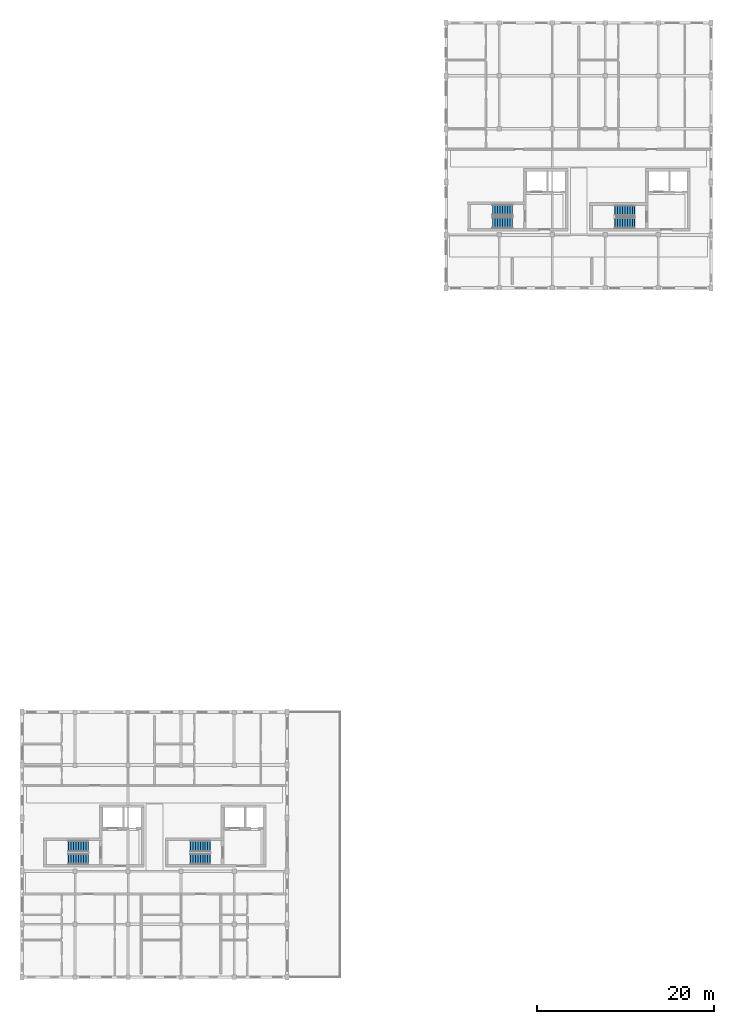
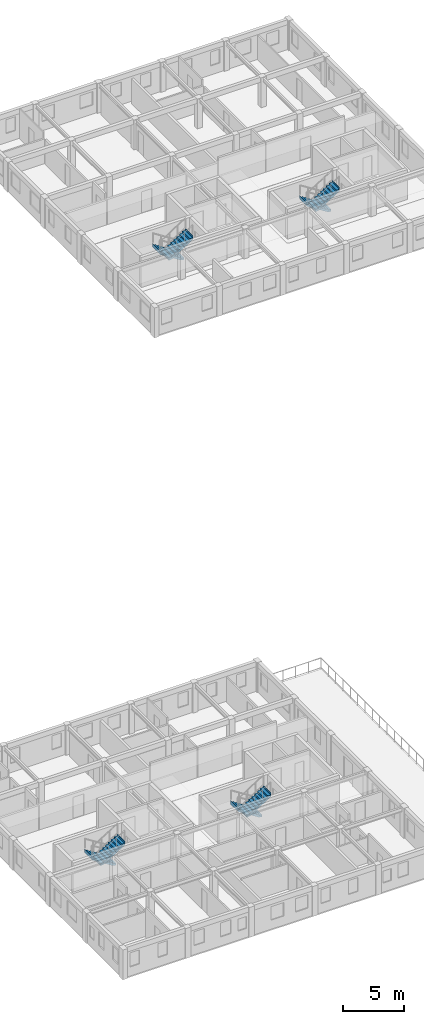
# One storey, part 11 of 13: 8 stair flights, 4 elements without a shape of their own.
"""IFC4 building model written with IfcOpenShell, lengths in metres."""

from ifc_helpers import new_model, si_unit, direction, frame, origin, place, context, subcontext, project, spatial, polyline, outline, extrude, material, type_object, element, aggregate, save


model = new_model("IFC4")

# Units and contexts
model_context = context("Model", 3, precision=1e-05, world=origin(), true_north=direction((0.0, 1.0)))
body_context = subcontext(model_context, "Body", "Model", "MODEL_VIEW")
ifc_project = project(units=[si_unit("LENGTHUNIT", "METRE"), si_unit("AREAUNIT", "SQUARE_METRE"), si_unit("VOLUMEUNIT", "CUBIC_METRE"), si_unit("PLANEANGLEUNIT", "RADIAN"), si_unit("MASSUNIT", "GRAM", prefix="KILO"), si_unit("POWERUNIT", "WATT"), si_unit("THERMODYNAMICTEMPERATUREUNIT", "KELVIN")], contexts=[model_context])

# Site, building, storey
site_placement = place(None, origin())
site = spatial("IfcSite", under=ifc_project, at=site_placement, CompositionType="ELEMENT")
building_placement = place(site_placement, origin())
building = spatial("IfcBuilding", under=site, at=building_placement, Name="Ruvembo Vaulted Housing Court", CompositionType="ELEMENT")
storey_placement = place(building_placement, frame((0.0, 0.0, 33.300048828125)))
storey = spatial("IfcBuildingStorey", under=building, at=storey_placement, Name="L10", CompositionType="ELEMENT", Elevation=33.300048828125)

# Stair, stair flights
ifc_material = material(Name="Concrete C35/45", Category="concrete")
stair_type_1 = type_object("IfcStairType", Name="STR-CORE-1200", PredefinedType="HALF_TURN_STAIR", material=ifc_material)
stair_1_placement = place(storey_placement, origin())
stair_1 = element("IfcStair", 1, at=stair_1_placement, inside=storey, type_object=stair_type_1, Name="L10 Protected Exit Stair ST-B2", PredefinedType="HALF_TURN_STAIR")
stair_flight_type_1 = type_object("IfcStairFlightType", Name="SFL-1200", PredefinedType="STRAIGHT", material=ifc_material)
stair_flight_1_placement = place(storey_placement, frame((69.35009765625, 92.75, 0.0), z_axis=(0.0, 0.0, 1.0), x_axis=(-1.0, 0.0, 0.0)))
stair_flight_1 = element("IfcStairFlight", 2, at=stair_flight_1_placement, type_object=stair_flight_type_1, Name="ST-B2 flight 1", NumberOfRisers=9, NumberOfTreads=8, PredefinedType="STRAIGHT", RiserHeight=0.177777778, TreadLength=0.28, context=body_context, shape_type="SweptSolid", body=[
    extrude(outline(polyline([(-0.02490234375, -0.0400390625), (-0.02490234375, 0.0), (0.0, 0.0), (0.0, 0.177734375), (0.280029296875, 0.177734375), (0.280029296875, 0.35546875), (0.56005859375, 0.35546875), (0.56005859375, 0.533447265625), (0.840087890625, 0.533447265625), (0.840087890625, 0.711181640625), (1.1201171875, 0.711181640625), (1.1201171875, 0.888916015625), (1.39990234375, 0.888916015625), (1.39990234375, 1.066650390625), (1.679931640625, 1.066650390625), (1.679931640625, 1.244384765625), (1.9599609375, 1.244384765625), (1.9599609375, 1.422119140625), (2.239990234375, 1.422119140625), (2.239990234375, 1.60009765625), (2.264892578125, 1.60009765625), (2.264892578125, 1.4501953125), (2.239990234375, 1.24462890625), (0.27978515625, 0.0), (0.0, -0.0400390625), (-0.02490234375, -0.0400390625)])), frame((0.0, 0.60009765625, 0.0), z_axis=(0.0, -1.0, 0.0), x_axis=(1.0, 0.0, 0.0)), (0.0, 0.0, 1.0), 1.199951171875),
])
stair_flight_2_placement = place(storey_placement, frame((67.110107421875, 91.35009765625, 1.599853515625), z_axis=(0.0, 0.0, 1.0), x_axis=(1.0, 0.0, 0.0)))
stair_flight_2 = element("IfcStairFlight", 3, at=stair_flight_2_placement, type_object=stair_flight_type_1, Name="ST-B2 flight 2", NumberOfRisers=9, NumberOfTreads=8, PredefinedType="STRAIGHT", RiserHeight=0.177777778, TreadLength=0.28, context=body_context, shape_type="SweptSolid", body=[
    extrude(outline(polyline([(-0.02490234375, -0.0400390625), (-0.02490234375, 0.0), (0.0, 0.0), (0.0, 0.177734375), (0.280029296875, 0.177734375), (0.280029296875, 0.35546875), (0.56005859375, 0.35546875), (0.56005859375, 0.533447265625), (0.840087890625, 0.533447265625), (0.840087890625, 0.711181640625), (1.1201171875, 0.711181640625), (1.1201171875, 0.888916015625), (1.39990234375, 0.888916015625), (1.39990234375, 1.066650390625), (1.679931640625, 1.066650390625), (1.679931640625, 1.244384765625), (1.9599609375, 1.244384765625), (1.9599609375, 1.422119140625), (2.239990234375, 1.422119140625), (2.239990234375, 1.60009765625), (2.264892578125, 1.60009765625), (2.264892578125, 1.4501953125), (2.239990234375, 1.24462890625), (0.27978515625, 0.0), (0.0, -0.0400390625), (-0.02490234375, -0.0400390625)])), frame((0.0, 0.60009765625, 0.0), z_axis=(0.0, -1.0, 0.0), x_axis=(1.0, 0.0, 0.0)), (0.0, 0.0, 1.0), 1.199951171875),
])
aggregate(stair_1, [stair_flight_1, stair_flight_2])

stair_type_2 = type_object("IfcStairType", Name="STR-CORE-1250", PredefinedType="HALF_TURN_STAIR", material=ifc_material)
stair_2_placement = place(storey_placement, origin())
stair_2 = element("IfcStair", 4, at=stair_2_placement, inside=storey, type_object=stair_type_2, Name="L10 Protected Exit Stair ST-A1", PredefinedType="HALF_TURN_STAIR")
stair_flight_type_2 = type_object("IfcStairFlightType", Name="SFL-1250", PredefinedType="STRAIGHT", material=ifc_material)
stair_flight_3_placement = place(storey_placement, frame((7.5, 20.824951171875, 0.0), z_axis=(0.0, 0.0, 1.0), x_axis=(-1.0, 0.0, 0.0)))
stair_flight_3 = element("IfcStairFlight", 5, at=stair_flight_3_placement, type_object=stair_flight_type_2, Name="ST-A1 flight 1", NumberOfRisers=9, NumberOfTreads=8, PredefinedType="STRAIGHT", RiserHeight=0.177777778, TreadLength=0.28, context=body_context, shape_type="SweptSolid", body=[
    extrude(outline(polyline([(-0.02490234375, -0.0400390625), (-0.02490234375, 0.0), (0.0, 0.0), (0.0, 0.177734375), (0.280029296875, 0.177734375), (0.280029296875, 0.35546875), (0.56005859375, 0.35546875), (0.56005859375, 0.533447265625), (0.840087890625, 0.533447265625), (0.840087890625, 0.711181640625), (1.1201171875, 0.711181640625), (1.1201171875, 0.888916015625), (1.39990234375, 0.888916015625), (1.39990234375, 1.066650390625), (1.679931640625, 1.066650390625), (1.679931640625, 1.244384765625), (1.9599609375, 1.244384765625), (1.9599609375, 1.422119140625), (2.239990234375, 1.422119140625), (2.239990234375, 1.60009765625), (2.264892578125, 1.60009765625), (2.264892578125, 1.4501953125), (2.239990234375, 1.24462890625), (0.27978515625, 0.0), (0.0, -0.0400390625), (-0.02490234375, -0.0400390625)])), frame((0.0, 0.625, 0.0), z_axis=(0.0, -1.0, 0.0), x_axis=(1.0, 0.0, 0.0)), (0.0, 0.0, 1.0), 1.25),
])
stair_flight_4_placement = place(storey_placement, frame((5.260009765625, 19.375, 1.599853515625), z_axis=(0.0, 0.0, 1.0), x_axis=(1.0, 0.0, 0.0)))
stair_flight_4 = element("IfcStairFlight", 6, at=stair_flight_4_placement, type_object=stair_flight_type_2, Name="ST-A1 flight 2", NumberOfRisers=9, NumberOfTreads=8, PredefinedType="STRAIGHT", RiserHeight=0.177777778, TreadLength=0.28, context=body_context, shape_type="SweptSolid", body=[
    extrude(outline(polyline([(-0.02490234375, -0.0400390625), (-0.02490234375, 0.0), (0.0, 0.0), (0.0, 0.177734375), (0.280029296875, 0.177734375), (0.280029296875, 0.35546875), (0.56005859375, 0.35546875), (0.56005859375, 0.533447265625), (0.840087890625, 0.533447265625), (0.840087890625, 0.711181640625), (1.1201171875, 0.711181640625), (1.1201171875, 0.888916015625), (1.39990234375, 0.888916015625), (1.39990234375, 1.066650390625), (1.679931640625, 1.066650390625), (1.679931640625, 1.244384765625), (1.9599609375, 1.244384765625), (1.9599609375, 1.422119140625), (2.239990234375, 1.422119140625), (2.239990234375, 1.60009765625), (2.264892578125, 1.60009765625), (2.264892578125, 1.4501953125), (2.239990234375, 1.24462890625), (0.27978515625, 0.0), (0.0, -0.0400390625), (-0.02490234375, -0.0400390625)])), frame((0.0, 0.625, 0.0), z_axis=(0.0, -1.0, 0.0), x_axis=(1.0, 0.0, 0.0)), (0.0, 0.0, 1.0), 1.25),
])
aggregate(stair_2, [stair_flight_3, stair_flight_4])

stair_3_placement = place(storey_placement, origin())
stair_3 = element("IfcStair", 7, at=stair_3_placement, inside=storey, type_object=stair_type_2, Name="L10 Protected Exit Stair ST-A2", PredefinedType="HALF_TURN_STAIR")
stair_flight_5_placement = place(storey_placement, frame((21.300048828125, 20.824951171875, 0.0), z_axis=(0.0, 0.0, 1.0), x_axis=(-1.0, 0.0, 0.0)))
stair_flight_5 = element("IfcStairFlight", 8, at=stair_flight_5_placement, type_object=stair_flight_type_2, Name="ST-A2 flight 1", NumberOfRisers=9, NumberOfTreads=8, PredefinedType="STRAIGHT", RiserHeight=0.177777778, TreadLength=0.28, context=body_context, shape_type="SweptSolid", body=[
    extrude(outline(polyline([(-0.02490234375, -0.0400390625), (-0.02490234375, 0.0), (0.0, 0.0), (0.0, 0.177734375), (0.280029296875, 0.177734375), (0.280029296875, 0.35546875), (0.56005859375, 0.35546875), (0.56005859375, 0.533447265625), (0.840087890625, 0.533447265625), (0.840087890625, 0.711181640625), (1.1201171875, 0.711181640625), (1.1201171875, 0.888916015625), (1.39990234375, 0.888916015625), (1.39990234375, 1.066650390625), (1.679931640625, 1.066650390625), (1.679931640625, 1.244384765625), (1.9599609375, 1.244384765625), (1.9599609375, 1.422119140625), (2.239990234375, 1.422119140625), (2.239990234375, 1.60009765625), (2.264892578125, 1.60009765625), (2.264892578125, 1.4501953125), (2.239990234375, 1.24462890625), (0.27978515625, 0.0), (0.0, -0.0400390625), (-0.02490234375, -0.0400390625)])), frame((0.0, 0.625, 0.0), z_axis=(0.0, -1.0, 0.0), x_axis=(1.0, 0.0, 0.0)), (0.0, 0.0, 1.0), 1.25),
])
stair_flight_6_placement = place(storey_placement, frame((19.06005859375, 19.375, 1.599853515625), z_axis=(0.0, 0.0, 1.0), x_axis=(1.0, 0.0, 0.0)))
stair_flight_6 = element("IfcStairFlight", 9, at=stair_flight_6_placement, type_object=stair_flight_type_2, Name="ST-A2 flight 2", NumberOfRisers=9, NumberOfTreads=8, PredefinedType="STRAIGHT", RiserHeight=0.177777778, TreadLength=0.28, context=body_context, shape_type="SweptSolid", body=[
    extrude(outline(polyline([(-0.02490234375, -0.0400390625), (-0.02490234375, 0.0), (0.0, 0.0), (0.0, 0.177734375), (0.280029296875, 0.177734375), (0.280029296875, 0.35546875), (0.56005859375, 0.35546875), (0.56005859375, 0.533447265625), (0.840087890625, 0.533447265625), (0.840087890625, 0.711181640625), (1.1201171875, 0.711181640625), (1.1201171875, 0.888916015625), (1.39990234375, 0.888916015625), (1.39990234375, 1.066650390625), (1.679931640625, 1.066650390625), (1.679931640625, 1.244384765625), (1.9599609375, 1.244384765625), (1.9599609375, 1.422119140625), (2.239990234375, 1.422119140625), (2.239990234375, 1.60009765625), (2.264892578125, 1.60009765625), (2.264892578125, 1.4501953125), (2.239990234375, 1.24462890625), (0.27978515625, 0.0), (0.0, -0.0400390625), (-0.02490234375, -0.0400390625)])), frame((0.0, 0.625, 0.0), z_axis=(0.0, -1.0, 0.0), x_axis=(1.0, 0.0, 0.0)), (0.0, 0.0, 1.0), 1.25),
])
aggregate(stair_3, [stair_flight_5, stair_flight_6])

stair_4_placement = place(storey_placement, origin())
stair_4 = element("IfcStair", 10, at=stair_4_placement, inside=storey, type_object=stair_type_2, Name="L10 Protected Exit Stair ST-B1", PredefinedType="HALF_TURN_STAIR")
stair_flight_7_placement = place(storey_placement, frame((55.5, 92.824951171875, 0.0), z_axis=(0.0, 0.0, 1.0), x_axis=(-1.0, 0.0, 0.0)))
stair_flight_7 = element("IfcStairFlight", 11, at=stair_flight_7_placement, type_object=stair_flight_type_2, Name="ST-B1 flight 1", NumberOfRisers=9, NumberOfTreads=8, PredefinedType="STRAIGHT", RiserHeight=0.177777778, TreadLength=0.28, context=body_context, shape_type="SweptSolid", body=[
    extrude(outline(polyline([(-0.02490234375, -0.0400390625), (-0.02490234375, 0.0), (0.0, 0.0), (0.0, 0.177734375), (0.280029296875, 0.177734375), (0.280029296875, 0.35546875), (0.56005859375, 0.35546875), (0.56005859375, 0.533447265625), (0.840087890625, 0.533447265625), (0.840087890625, 0.711181640625), (1.1201171875, 0.711181640625), (1.1201171875, 0.888916015625), (1.39990234375, 0.888916015625), (1.39990234375, 1.066650390625), (1.679931640625, 1.066650390625), (1.679931640625, 1.244384765625), (1.9599609375, 1.244384765625), (1.9599609375, 1.422119140625), (2.239990234375, 1.422119140625), (2.239990234375, 1.60009765625), (2.264892578125, 1.60009765625), (2.264892578125, 1.4501953125), (2.239990234375, 1.24462890625), (0.27978515625, 0.0), (0.0, -0.0400390625), (-0.02490234375, -0.0400390625)])), frame((0.0, 0.625, 0.0), z_axis=(0.0, -1.0, 0.0), x_axis=(1.0, 0.0, 0.0)), (0.0, 0.0, 1.0), 1.25),
])
stair_flight_8_placement = place(storey_placement, frame((53.260009765625, 91.375, 1.599853515625), z_axis=(0.0, 0.0, 1.0), x_axis=(1.0, 0.0, 0.0)))
stair_flight_8 = element("IfcStairFlight", 12, at=stair_flight_8_placement, type_object=stair_flight_type_2, Name="ST-B1 flight 2", NumberOfRisers=9, NumberOfTreads=8, PredefinedType="STRAIGHT", RiserHeight=0.177777778, TreadLength=0.28, context=body_context, shape_type="SweptSolid", body=[
    extrude(outline(polyline([(-0.02490234375, -0.0400390625), (-0.02490234375, 0.0), (0.0, 0.0), (0.0, 0.177734375), (0.280029296875, 0.177734375), (0.280029296875, 0.35546875), (0.56005859375, 0.35546875), (0.56005859375, 0.533447265625), (0.840087890625, 0.533447265625), (0.840087890625, 0.711181640625), (1.1201171875, 0.711181640625), (1.1201171875, 0.888916015625), (1.39990234375, 0.888916015625), (1.39990234375, 1.066650390625), (1.679931640625, 1.066650390625), (1.679931640625, 1.244384765625), (1.9599609375, 1.244384765625), (1.9599609375, 1.422119140625), (2.239990234375, 1.422119140625), (2.239990234375, 1.60009765625), (2.264892578125, 1.60009765625), (2.264892578125, 1.4501953125), (2.239990234375, 1.24462890625), (0.27978515625, 0.0), (0.0, -0.0400390625), (-0.02490234375, -0.0400390625)])), frame((0.0, 0.625, 0.0), z_axis=(0.0, -1.0, 0.0), x_axis=(1.0, 0.0, 0.0)), (0.0, 0.0, 1.0), 1.25),
])
aggregate(stair_4, [stair_flight_7, stair_flight_8])

save(model, "model.ifc")
